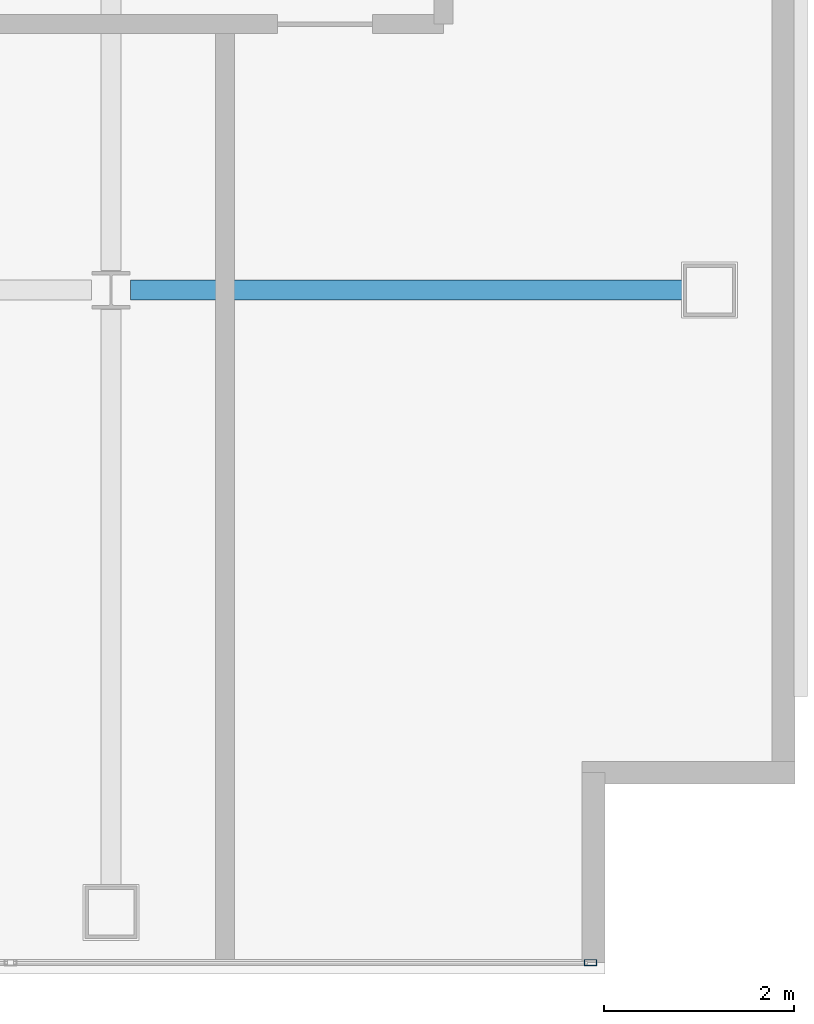
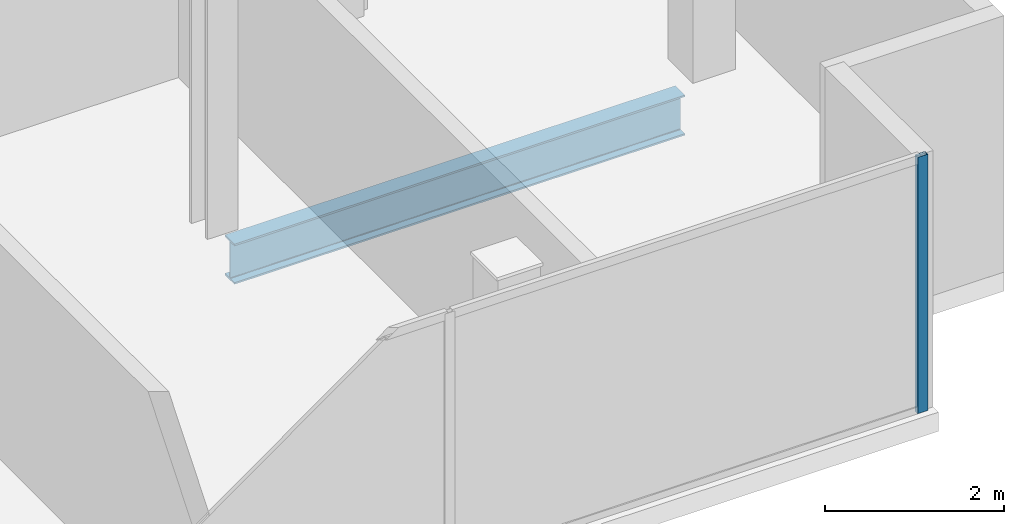
# One storey, part 6 of 15: 1 beam, 1 member, 1 element without a shape of its own.
"""IFC4 building model written with IfcOpenShell, lengths in metres."""

from ifc_helpers import new_model, si_unit, direction, frame, origin, origin_2d, place, context, subcontext, project, spatial, hollow_rectangle, i_section, extrude, material, material_profile, profile_set, type_object, element, aggregate, save


model = new_model("IFC4")

# Units and contexts
model_context = context("Model", 3, precision=1e-05, world=origin(), true_north=direction((0.0, 1.0)))
body_context = subcontext(model_context, "Body", "Model", "MODEL_VIEW")
ifc_project = project(units=[si_unit("LENGTHUNIT", "METRE"), si_unit("AREAUNIT", "SQUARE_METRE"), si_unit("VOLUMEUNIT", "CUBIC_METRE"), si_unit("PLANEANGLEUNIT", "RADIAN"), si_unit("MASSUNIT", "GRAM", prefix="KILO")], contexts=[model_context])

# Site, building, storey
site_placement = place(None, origin())
site = spatial("IfcSite", under=ifc_project, at=site_placement, CompositionType="ELEMENT")
building_placement = place(site_placement, origin())
building = spatial("IfcBuilding", under=site, at=building_placement, Name="Cobrela Telecom Tower", CompositionType="ELEMENT")
storey_placement = place(building_placement, frame((0.0, 0.0, 301.35009765625)))
storey = spatial("IfcBuildingStorey", under=building, at=storey_placement, Name="L79", CompositionType="ELEMENT", Elevation=301.35009765625)

# Beam
ifc_material_1 = material(Name="Steel ASTM A992 Grade 50", Category="steel")
ifc_material_profile_1 = material_profile(ifc_material_1, i_section(OverallWidth=0.212890625, OverallDepth=0.549072265625, WebThickness=0.0146484375, FlangeThickness=0.023681640625, FilletRadius=0.013916015625, at=origin_2d()), Name="W21X93")
ifc_profile_set_1 = profile_set([ifc_material_profile_1], Name="Steel ASTM A992 Grade 50")
beam_type = type_object("IfcBeamType", Name="BM-GIRD-08", PredefinedType="USERDEFINED", material=ifc_profile_set_1)
beam_placement = place(storey_placement, frame((21.804443359375, 14.39990234375, -0.53466796875), z_axis=(1.0, 0.0, 0.0), x_axis=(0.0, 1.0, 0.0)))
element("IfcBeam", 1, at=beam_placement, inside=storey, type_object=beam_type, Name="L79 Primary Girder X04", ObjectType="GIRDER", PredefinedType="USERDEFINED", context=body_context, shape_type="SweptSolid", body=[
    extrude(i_section(OverallWidth=0.212890625, OverallDepth=0.549072265625, WebThickness=0.0146484375, FlangeThickness=0.023681640625, FilletRadius=0.013916015625, at=origin_2d()), origin(), (0.0, 0.0, 1.0), 5.815673828125),
])

# Curtain wall, member
ifc_material_2 = material(Name="Anodized Bronze Aluminium 6063-T6", Category="aluminium")
curtain_wall_type = type_object("IfcCurtainWallType", Name="CW-SYS-DRUM", PredefinedType="USERDEFINED", material=ifc_material_2)
curtain_wall_placement = place(storey_placement, origin())
curtain_wall = element("IfcCurtainWall", 2, at=curtain_wall_placement, inside=storey, type_object=curtain_wall_type, Name="L79 Unitised Bronze Curtain Wall 11", ObjectType="UNITISED CURTAIN WALL", PredefinedType="USERDEFINED")
ifc_material_profile_2 = material_profile(ifc_material_2, hollow_rectangle(XDim=0.06494140625, YDim=0.1298828125, WallThickness=0.00390625, at=origin_2d()), Name="ALU 65x130x4")
ifc_profile_set_2 = profile_set([ifc_material_profile_2], Name="Anodized Bronze Aluminium 6063-T6")
member_type = type_object("IfcMemberType", Name="CW-SYS-DRUM-MUL", PredefinedType="MULLION", material=ifc_profile_set_2)
member_placement = place(storey_placement, frame((26.6474609375, 7.320068359375, 0.0), z_axis=(0.0, 0.0, 1.0), x_axis=(0.0, -1.0, 0.0)))
member = element("IfcMember", 3, at=member_placement, type_object=member_type, Name="CW-DRUM mullion 1", PredefinedType="MULLION", context=body_context, shape_type="SweptSolid", body=[
    extrude(hollow_rectangle(XDim=0.06494140625, YDim=0.1298828125, WallThickness=0.00390625, at=origin_2d()), origin(), (0.0, 0.0, 1.0), 3.5),
])
aggregate(curtain_wall, [member])

save(model, "model.ifc")
